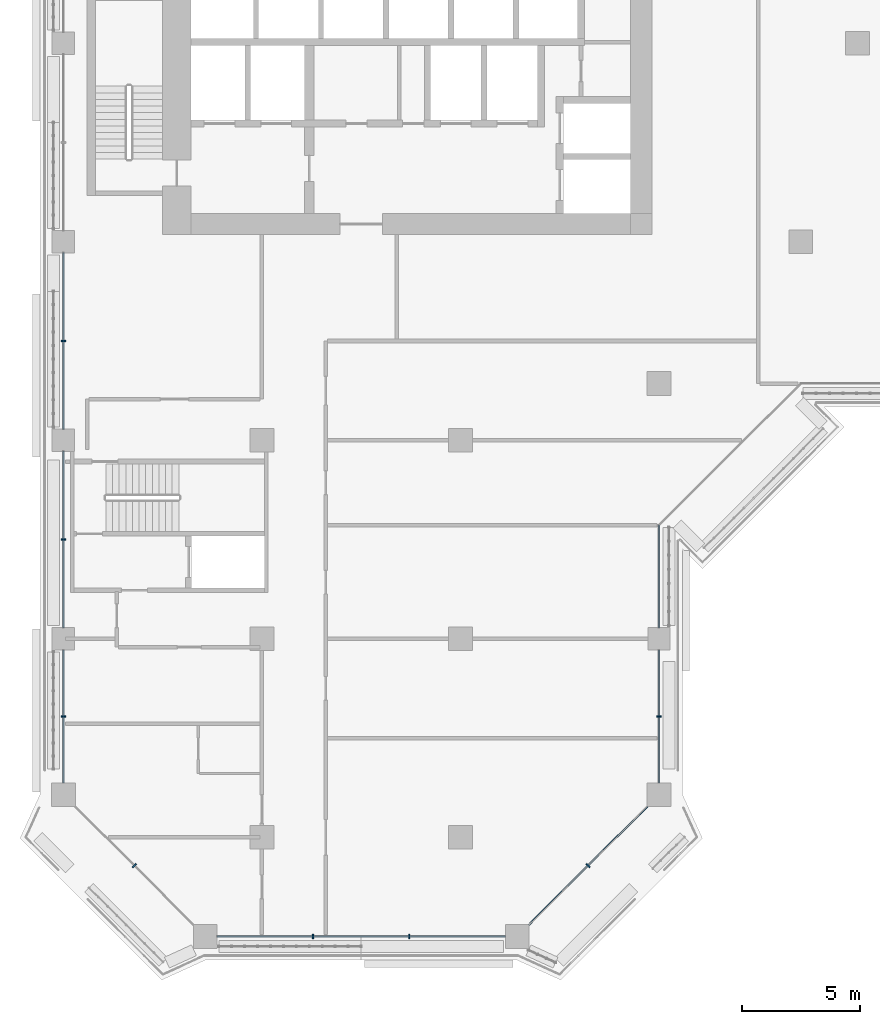
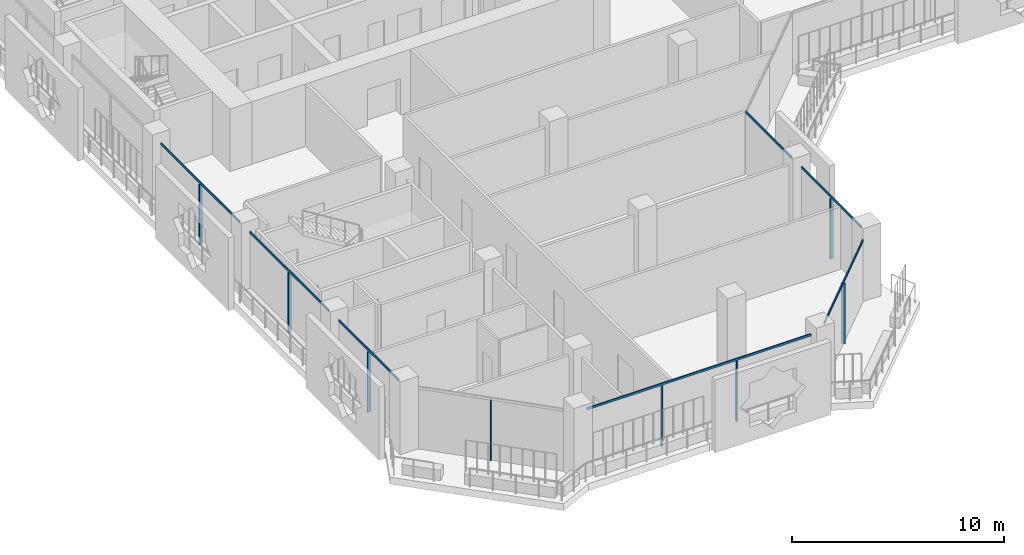
# One storey, part 2 of 22: 15 members, 5 elements without a shape of their own.
"""IFC4 building model written with IfcOpenShell, lengths in metres."""

from ifc_helpers import new_model, si_unit, direction, frame, origin, origin_2d, place, context, subcontext, project, spatial, rectangle, extrude, material, layer, layer_set, material_profile, profile_set, type_object, element, aggregate, save


model = new_model("IFC4")

# Units and contexts
model_context = context("Model", 3, precision=1e-05, world=origin(), true_north=direction((0.0, 1.0)))
body_context = subcontext(model_context, "Body", "Model", "MODEL_VIEW")
ifc_project = project(units=[si_unit("LENGTHUNIT", "METRE"), si_unit("AREAUNIT", "SQUARE_METRE"), si_unit("VOLUMEUNIT", "CUBIC_METRE"), si_unit("PLANEANGLEUNIT", "RADIAN"), si_unit("MASSUNIT", "GRAM", prefix="KILO")], contexts=[model_context])

# Site, building, storey
site_placement = place(None, origin())
site = spatial("IfcSite", under=ifc_project, at=site_placement, CompositionType="ELEMENT")
building_placement = place(site_placement, origin())
building = spatial("IfcBuilding", under=site, at=building_placement, Name="Kawkab Arch Medical Tower", CompositionType="ELEMENT")
storey_placement = place(building_placement, frame((0.0, 0.0, 179.39990234375)))
storey = spatial("IfcBuildingStorey", under=building, at=storey_placement, Name="L41", CompositionType="ELEMENT", Elevation=179.39990234375)

# Curtain wall, members
ifc_material_1 = material(Name="Bronze anodised aluminium curtain wall frame", Category="aluminium")
ifc_layer_1 = layer(ifc_material_1, 0.159912109375)
ifc_layer_set_1 = layer_set([ifc_layer_1], Name="Bronze anodised aluminium curtain wall frame")
curtain_wall_type_1 = type_object("IfcCurtainWallType", Name="CW1 ward curtain wall", PredefinedType="NOTDEFINED", material=ifc_layer_set_1)
placement = place(storey_placement, origin())
curtain_wall_1 = element("IfcCurtainWall", 1, at=placement, inside=storey, type_object=curtain_wall_type_1, Name="CW1 Ward curtain wall R01", PredefinedType="NOTDEFINED")
ifc_material_2 = material(Name="Bronze anodised aluminium curtain wall frame", Category="aluminium")
ifc_material_profile_1 = material_profile(ifc_material_2, rectangle(XDim=0.179931640625, YDim=0.06005859375, at=origin_2d()), Name="AL 60x180")
ifc_profile_set_1 = profile_set([ifc_material_profile_1], Name="Bronze anodised aluminium curtain wall frame")
member_type_1 = type_object("IfcMemberType", Name="CW1 mullion 60 x 180", PredefinedType="MULLION", material=ifc_profile_set_1)
member_1_placement = place(storey_placement, frame((0.0, -29.39990234375, 0.0), z_axis=(0.0, 0.0, 1.0), x_axis=(1.0, 0.0, 0.0)))
member_1 = element("IfcMember", 2, at=member_1_placement, type_object=member_type_1, Name="CW1 mullion 3.1", PredefinedType="MULLION", context=body_context, shape_type="SweptSolid", body=[
    extrude(rectangle(XDim=0.179931640625, YDim=0.06005859375, at=origin_2d()), origin(), (0.0, 0.0, 1.0), 3.47998046875),
])
member_2_placement = place(storey_placement, frame((0.0, -37.800048828125, 0.0), z_axis=(0.0, 0.0, 1.0), x_axis=(1.0, 0.0, 0.0)))
member_2 = element("IfcMember", 3, at=member_2_placement, type_object=member_type_1, Name="CW1 mullion 4.1", PredefinedType="MULLION", context=body_context, shape_type="SweptSolid", body=[
    extrude(rectangle(XDim=0.179931640625, YDim=0.06005859375, at=origin_2d()), origin(), (0.0, 0.0, 1.0), 3.47998046875),
])
member_3_placement = place(storey_placement, frame((0.0, -45.28759765625, 0.0), z_axis=(0.0, 0.0, 1.0), x_axis=(1.0, 0.0, 0.0)))
member_3 = element("IfcMember", 4, at=member_3_placement, type_object=member_type_1, Name="CW1 mullion 5.1", PredefinedType="MULLION", context=body_context, shape_type="SweptSolid", body=[
    extrude(rectangle(XDim=0.179931640625, YDim=0.06005859375, at=origin_2d()), origin(), (0.0, 0.0, 1.0), 3.47998046875),
])

curtain_wall_2 = element("IfcCurtainWall", 5, at=placement, inside=storey, type_object=curtain_wall_type_1, Name="CW1 Ward curtain wall R03", PredefinedType="NOTDEFINED")
member_4_placement = place(storey_placement, frame((10.566650390625, -54.60009765625, 0.0), z_axis=(0.0, 0.0, 1.0), x_axis=(0.0, 1.0, 0.0)))
member_4 = element("IfcMember", 6, at=member_4_placement, type_object=member_type_1, Name="CW1 mullion 1.1", PredefinedType="MULLION", context=body_context, shape_type="SweptSolid", body=[
    extrude(rectangle(XDim=0.179931640625, YDim=0.06005859375, at=origin_2d()), origin(), (0.0, 0.0, 1.0), 3.47998046875),
])
member_5_placement = place(storey_placement, frame((14.63330078125, -54.60009765625, 0.0), z_axis=(0.0, 0.0, 1.0), x_axis=(0.0, 1.0, 0.0)))
member_5 = element("IfcMember", 7, at=member_5_placement, type_object=member_type_1, Name="CW1 mullion 1.2", PredefinedType="MULLION", context=body_context, shape_type="SweptSolid", body=[
    extrude(rectangle(XDim=0.179931640625, YDim=0.06005859375, at=origin_2d()), origin(), (0.0, 0.0, 1.0), 3.47998046875),
])

# Curtain wall, member
curtain_wall_3 = element("IfcCurtainWall", 8, at=placement, inside=storey, type_object=curtain_wall_type_1, Name="CW1 Ward curtain wall R05", PredefinedType="NOTDEFINED")
member_6_placement = place(storey_placement, frame((25.199951171875, -45.28759765625, 0.0), z_axis=(0.0, 0.0, 1.0), x_axis=(-1.0, 0.0, 0.0)))
member_6 = element("IfcMember", 9, at=member_6_placement, type_object=member_type_1, Name="CW1 mullion 1.1", PredefinedType="MULLION", context=body_context, shape_type="SweptSolid", body=[
    extrude(rectangle(XDim=0.179931640625, YDim=0.06005859375, at=origin_2d()), origin(), (0.0, 0.0, 1.0), 3.47998046875),
])

# Member
ifc_material_3 = material(Name="Bronze anodised aluminium curtain wall frame", Category="aluminium")
ifc_material_profile_2 = material_profile(ifc_material_3, rectangle(XDim=0.06005859375, YDim=0.1201171875, at=origin_2d()), Name="AL 60x120")
ifc_profile_set_2 = profile_set([ifc_material_profile_2], Name="Bronze anodised aluminium curtain wall frame")
member_type_2 = type_object("IfcMemberType", Name="CW1 transom 120 x 60", PredefinedType="USERDEFINED", material=ifc_profile_set_2)
member_7_placement = place(storey_placement, frame((0.0, -25.675048828125, 3.5400390625), z_axis=(0.0, -1.0, 0.0), x_axis=(1.0, 0.0, 0.0)))
member_7 = element("IfcMember", 10, at=member_7_placement, type_object=member_type_2, Name="CW1 transom 3", ObjectType="TRANSOM", PredefinedType="USERDEFINED", context=body_context, shape_type="SweptSolid", body=[
    extrude(rectangle(XDim=0.06005859375, YDim=0.1201171875, at=origin_2d()), origin(), (0.0, 0.0, 1.0), 7.449951171875),
])

member_8_placement = place(storey_placement, frame((0.0, -34.074951171875, 3.5400390625), z_axis=(0.0, -1.0, 0.0), x_axis=(1.0, 0.0, 0.0)))
member_8 = element("IfcMember", 11, at=member_8_placement, type_object=member_type_2, Name="CW1 transom 4", ObjectType="TRANSOM", PredefinedType="USERDEFINED", context=body_context, shape_type="SweptSolid", body=[
    extrude(rectangle(XDim=0.06005859375, YDim=0.1201171875, at=origin_2d()), origin(), (0.0, 0.0, 1.0), 7.449951171875),
])

member_9_placement = place(storey_placement, frame((0.0, -42.47509765625, 3.5400390625), z_axis=(0.0, -1.0, 0.0), x_axis=(1.0, 0.0, 0.0)))
member_9 = element("IfcMember", 12, at=member_9_placement, type_object=member_type_2, Name="CW1 transom 5", ObjectType="TRANSOM", PredefinedType="USERDEFINED", context=body_context, shape_type="SweptSolid", body=[
    extrude(rectangle(XDim=0.06005859375, YDim=0.1201171875, at=origin_2d()), origin(), (0.0, 0.0, 1.0), 5.625),
])

aggregate(curtain_wall_1, [member_7, member_1, member_8, member_2, member_9, member_3])

member_10_placement = place(storey_placement, frame((6.5, -54.60009765625, 3.5400390625), z_axis=(1.0, 0.0, 0.0), x_axis=(0.0, 1.0, 0.0)))
member_10 = element("IfcMember", 13, at=member_10_placement, type_object=member_type_2, Name="CW1 transom 1", ObjectType="TRANSOM", PredefinedType="USERDEFINED", context=body_context, shape_type="SweptSolid", body=[
    extrude(rectangle(XDim=0.06005859375, YDim=0.1201171875, at=origin_2d()), origin(), (0.0, 0.0, 1.0), 12.199951171875),
])

aggregate(curtain_wall_2, [member_10, member_4, member_5])

member_11_placement = place(storey_placement, frame((25.199951171875, -48.10009765625, 3.5400390625), z_axis=(0.0, 1.0, 0.0), x_axis=(-1.0, 0.0, 0.0)))
member_11 = element("IfcMember", 14, at=member_11_placement, type_object=member_type_2, Name="CW1 transom 1", ObjectType="TRANSOM", PredefinedType="USERDEFINED", context=body_context, shape_type="SweptSolid", body=[
    extrude(rectangle(XDim=0.06005859375, YDim=0.1201171875, at=origin_2d()), origin(), (0.0, 0.0, 1.0), 5.625),
])

member_12_placement = place(storey_placement, frame((25.199951171875, -41.52490234375, 3.5400390625), z_axis=(0.0, 1.0, 0.0), x_axis=(-1.0, 0.0, 0.0)))
member_12 = element("IfcMember", 15, at=member_12_placement, type_object=member_type_2, Name="CW1 transom 2", ObjectType="TRANSOM", PredefinedType="USERDEFINED", context=body_context, shape_type="SweptSolid", body=[
    extrude(rectangle(XDim=0.06005859375, YDim=0.1201171875, at=origin_2d()), origin(), (0.0, 0.0, 1.0), 4.324951171875),
])

aggregate(curtain_wall_3, [member_11, member_6, member_12])

# Curtain wall, member
ifc_material_4 = material(Name="Bronze anodised aluminium curtain wall frame", Category="aluminium")
ifc_layer_2 = layer(ifc_material_4, 0.159912109375)
ifc_layer_set_2 = layer_set([ifc_layer_2], Name="Bronze anodised aluminium curtain wall frame")
curtain_wall_type_2 = type_object("IfcCurtainWallType", Name="CW2 chamfer curtain wall", PredefinedType="NOTDEFINED", material=ifc_layer_set_2)
curtain_wall_4 = element("IfcCurtainWall", 16, at=placement, inside=storey, type_object=curtain_wall_type_2, Name="CW2 Chamfer curtain wall R02", PredefinedType="NOTDEFINED")
ifc_material_5 = material(Name="Bronze anodised aluminium curtain wall frame", Category="aluminium")
ifc_material_profile_3 = material_profile(ifc_material_5, rectangle(XDim=0.199951171875, YDim=0.06005859375, at=origin_2d()), Name="AL 60x200")
ifc_profile_set_3 = profile_set([ifc_material_profile_3], Name="Bronze anodised aluminium curtain wall frame")
member_type_3 = type_object("IfcMemberType", Name="CW2 mullion 60 x 200", PredefinedType="MULLION", material=ifc_profile_set_3)
member_13_placement = place(storey_placement, frame((3.0, -51.60009765625, 0.0), z_axis=(0.0, 0.0, 1.0), x_axis=(0.707106781187, 0.707106781187, 0.0)))
member_13 = element("IfcMember", 17, at=member_13_placement, type_object=member_type_3, Name="CW2 mullion 1.1", PredefinedType="MULLION", context=body_context, shape_type="SweptSolid", body=[
    extrude(rectangle(XDim=0.199951171875, YDim=0.06005859375, at=origin_2d()), origin(), (0.0, 0.0, 1.0), 3.460205078125),
])
aggregate(curtain_wall_4, [member_13])

# Curtain wall, members
curtain_wall_5 = element("IfcCurtainWall", 18, at=placement, inside=storey, type_object=curtain_wall_type_2, Name="CW2 Chamfer curtain wall R04", PredefinedType="NOTDEFINED")
member_14_placement = place(storey_placement, frame((22.199951171875, -51.60009765625, 0.0), z_axis=(0.0, 0.0, 1.0), x_axis=(-0.707106781187, 0.707106781187, 0.0)))
member_14 = element("IfcMember", 19, at=member_14_placement, type_object=member_type_3, Name="CW2 mullion 1.1", PredefinedType="MULLION", context=body_context, shape_type="SweptSolid", body=[
    extrude(rectangle(XDim=0.199951171875, YDim=0.06005859375, at=origin_2d()), origin(), (0.0, 0.0, 1.0), 3.460205078125),
])
ifc_material_6 = material(Name="Bronze anodised aluminium curtain wall frame", Category="aluminium")
ifc_material_profile_4 = material_profile(ifc_material_6, rectangle(XDim=0.06005859375, YDim=0.139892578125, at=origin_2d()), Name="AL 60x140")
ifc_profile_set_4 = profile_set([ifc_material_profile_4], Name="Bronze anodised aluminium curtain wall frame")
member_type_4 = type_object("IfcMemberType", Name="CW2 transom 140 x 60", PredefinedType="USERDEFINED", material=ifc_profile_set_4)
member_15_placement = place(storey_placement, frame((19.699951171875, -54.10009765625, 3.530029296875), z_axis=(0.707106781187, 0.707106781187, 0.0), x_axis=(-0.707106781187, 0.707106781187, 0.0)))
member_15 = element("IfcMember", 20, at=member_15_placement, type_object=member_type_4, Name="CW2 transom 1", ObjectType="TRANSOM", PredefinedType="USERDEFINED", context=body_context, shape_type="SweptSolid", body=[
    extrude(rectangle(XDim=0.06005859375, YDim=0.139892578125, at=origin_2d()), origin(), (0.0, 0.0, 1.0), 7.071044921875),
])
aggregate(curtain_wall_5, [member_15, member_14])

save(model, "model.ifc")
